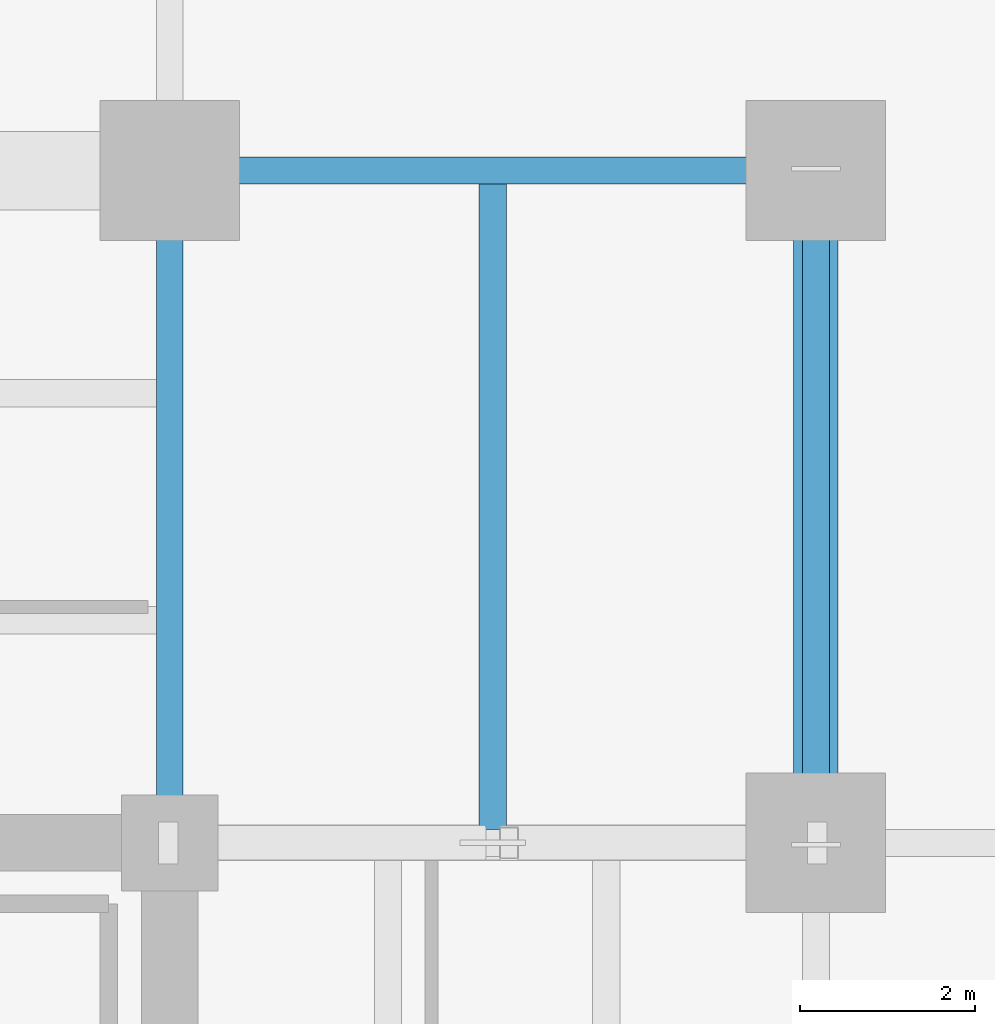
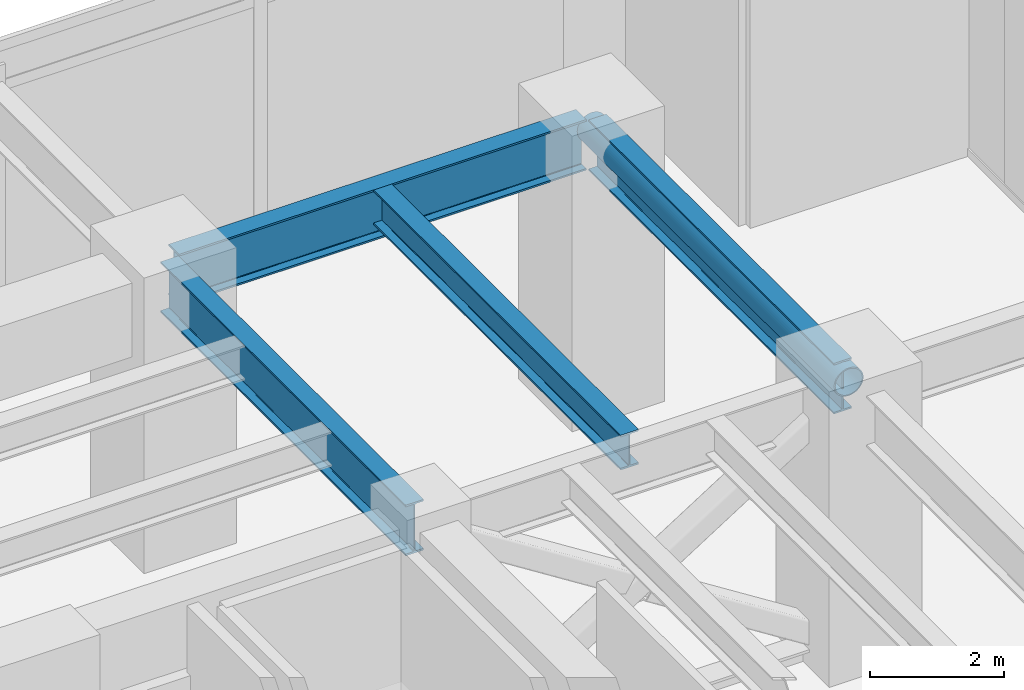
# One storey, part 18 of 26: 4 beams, 1 member.
"""IFC4 building model written with IfcOpenShell, lengths in metres."""

import ifcopenshell
import ifcopenshell.guid

model = None  # the IFC model being written
_history = None  # IfcOwnerHistory: only IFC2X3 demands one
_inside = {}  # id of a spatial element -> (the spatial element, [elements in it])
_under = {}  # id of a project, library or spatial element -> (it, [spatial elements below it])
_declared = {}  # id of a project -> (the project, [libraries it declares])
_typed = {}  # id of a type object -> (the type object, [elements of that type])
_made_of = {}  # id of a material, layer set ... -> (it, [elements and type objects made of it])


def new_model(schema):
    """Start an empty IFC model of exactly this schema.

    Asked for "IFC4X3", IfcOpenShell would pick the latest addendum, in which some entities
    have other attributes; the version numbers below select the first issue.
    IFC2X3 requires an IfcOwnerHistory on every rooted entity: one is made here for all.
    """
    global model, _history
    if schema == "IFC4X3":
        model = ifcopenshell.file(schema_version=(4, 3, 0, 0))
    else:
        model = ifcopenshell.file(schema=schema)
    _inside.clear()
    _under.clear()
    _declared.clear()
    _typed.clear()
    _made_of.clear()
    _history = None
    if model.schema == "IFC2X3":
        org = make("IfcOrganization", Name="unknown")
        user = make(
            "IfcPersonAndOrganization",
            ThePerson=make("IfcPerson", FamilyName="unknown"),
            TheOrganization=org,
        )
        app = make(
            "IfcApplication",
            ApplicationDeveloper=org,
            Version="unknown",
            ApplicationFullName="unknown",
            ApplicationIdentifier="unknown",
        )
        _history = make(
            "IfcOwnerHistory",
            OwningUser=user,
            OwningApplication=app,
            ChangeAction="ADDED",
            CreationDate=0,
        )
    return model


def make(cls, **values):
    """One entity of the class cls with the attributes given. An attribute that is None is left unset."""
    return model.create_entity(
        cls, **{name: value for name, value in values.items() if value is not None}
    )


def rooted(cls, **values):
    """An entity with a GlobalId (a new one), such as an element, a storey or a relation."""
    return make(cls, GlobalId=ifcopenshell.guid.new(), OwnerHistory=_history, **values)


def si_unit(unit_type, name, prefix=None):
    """IfcSIUnit, for example si_unit("LENGTHUNIT", "METRE", prefix="MILLI")."""
    return make("IfcSIUnit", UnitType=unit_type, Prefix=prefix, Name=name)


def assignment(units):
    """IfcUnitAssignment: the units of a project."""
    return None if units is None else make("IfcUnitAssignment", Units=units)


def point(xyz):
    """IfcCartesianPoint."""
    return None if xyz is None else make("IfcCartesianPoint", Coordinates=xyz)


def direction(xyz):
    """IfcDirection."""
    return None if xyz is None else make("IfcDirection", DirectionRatios=xyz)


def frame(location, z_axis=None, x_axis=None):
    """IfcAxis2Placement3D, a coordinate frame: its origin and axes. An axis left out is left unset."""
    return make(
        "IfcAxis2Placement3D",
        Location=point(location),
        Axis=direction(z_axis),
        RefDirection=direction(x_axis),
    )


def frame_2d(location, x_axis=None):
    """IfcAxis2Placement2D, a coordinate frame in the plane: its origin and x axis."""
    return make(
        "IfcAxis2Placement2D", Location=point(location), RefDirection=direction(x_axis)
    )


def origin():
    """The frame at (0, 0, 0) with its axes left unset."""
    return frame((0.0, 0.0, 0.0))


def origin_2d():
    """The frame at (0, 0) in the plane with its x axis left unset."""
    return frame_2d((0.0, 0.0))


def place(relative_to, where):
    """IfcLocalPlacement: puts the frame where relative to a parent placement (None: the world)."""
    return make(
        "IfcLocalPlacement", PlacementRelTo=relative_to, RelativePlacement=where
    )


def context(
    kind, dimensions, precision=None, world=None, true_north=None, identifier=None
):
    """IfcGeometricRepresentationContext, for example the 3D "Model" context."""
    return make(
        "IfcGeometricRepresentationContext",
        ContextIdentifier=identifier,
        ContextType=kind,
        CoordinateSpaceDimension=dimensions,
        Precision=precision,
        WorldCoordinateSystem=world,
        TrueNorth=true_north,
    )


def subcontext(parent, identifier, kind, view, scale=None):
    """IfcGeometricRepresentationSubContext, for example "Body" below "Model"."""
    return make(
        "IfcGeometricRepresentationSubContext",
        ContextIdentifier=identifier,
        ContextType=kind,
        ParentContext=parent,
        TargetScale=scale,
        TargetView=view,
    )


def project(units=None, contexts=None):
    """IfcProject with its units and contexts."""
    return rooted(
        "IfcProject",
        Name="project",
        RepresentationContexts=contexts,
        UnitsInContext=assignment(units),
    )


def spatial(cls, under=None, at=None, **own):
    """A site, building, storey or space (cls), placed at a placement, below another one or the project."""
    s = rooted(cls, ObjectPlacement=at, **own)
    if under is not None:
        _under.setdefault(under.id(), (under, []))[1].append(s)
    return s


def profile(cls, at=None, kind="AREA", **sizes):
    """A parametric profile (cls). Its sizes go by their IFC names, for example OverallWidth=200.0."""
    return make(cls, ProfileType=kind, Position=at, **sizes)


def hollow_circle(**sizes):
    """IfcCircleHollowProfileDef."""
    return profile("IfcCircleHollowProfileDef", **sizes)


def i_section(**sizes):
    """IfcIShapeProfileDef."""
    return profile("IfcIShapeProfileDef", **sizes)


def extrude(swept, where, along, depth):
    """IfcExtrudedAreaSolid: the profile swept, set in the frame where, extruded along a direction by depth."""
    return make(
        "IfcExtrudedAreaSolid",
        SweptArea=swept,
        Position=where,
        ExtrudedDirection=direction(along),
        Depth=depth,
    )


def shape(context_of_items, identifier, shape_type, items):
    """IfcShapeRepresentation: the items that make up one representation, for example the "Body"."""
    return make(
        "IfcShapeRepresentation",
        ContextOfItems=context_of_items,
        RepresentationIdentifier=identifier,
        RepresentationType=shape_type,
        Items=items,
    )


def material(Name=None, Category=None):
    """IfcMaterial."""
    return make("IfcMaterial", Name=Name, Category=Category)


def material_profile(
    of_material, cross_section, Name=None, Category=None, Priority=None
):
    """IfcMaterialProfile: a cross section and its material."""
    return make(
        "IfcMaterialProfile",
        Name=Name,
        Material=of_material,
        Profile=cross_section,
        Priority=Priority,
        Category=Category,
    )


def profile_set(profiles, Name=None, composite=None):
    """IfcMaterialProfileSet."""
    return make(
        "IfcMaterialProfileSet",
        Name=Name,
        MaterialProfiles=profiles,
        CompositeProfile=composite,
    )


def made_of(thing, what):
    """Note that an element or type object is made of a material, layer set ...; save() writes the relation."""
    if what is not None:
        _made_of.setdefault(what.id(), (what, []))[1].append(thing)
    return thing


def type_object(cls, material=None, **own):
    """A type object (cls), such as IfcWallType, which elements share."""
    return made_of(rooted(cls, **own), material)


def element(
    cls,
    number,
    at=None,
    inside=None,
    cuts=None,
    type_object=None,
    material=None,
    context=None,
    identifier="Body",
    shape_type=None,
    held_by="IfcProductDefinitionShape",
    body=None,
    shapes=None,
    **own,
):
    """One element of the class cls, such as IfcWall. Its Tag is "e" and its number.

    at: its placement. inside: the storey or other place that contains it. cuts: it is an
    opening in that element (IfcRelVoidsElement). A single representation is given by context,
    identifier, shape_type and body (its items); several are given by shapes. held_by: the class
    of the entity that holds the representations. save() writes the other relations.
    """
    e = rooted(cls, Tag="e%d" % number, ObjectPlacement=at, **own)
    if body is not None:
        shapes = [shape(context, identifier, shape_type, body)]
    if shapes is not None:
        e.Representation = make(held_by, Representations=shapes)
    if inside is not None:
        _inside.setdefault(inside.id(), (inside, []))[1].append(e)
    if cuts is not None:
        rooted(
            "IfcRelVoidsElement", RelatingBuildingElement=cuts, RelatedOpeningElement=e
        )
    if type_object is not None:
        _typed.setdefault(type_object.id(), (type_object, []))[1].append(e)
    return made_of(e, material)


def aggregate(whole, parts):
    """IfcRelAggregates: a whole, such as a stair, and the parts it consists of."""
    return rooted("IfcRelAggregates", RelatingObject=whole, RelatedObjects=parts)


def save(model, path):
    """Write the relations noted so far, then the file.

    IfcRelAggregates (storeys below a building ...), IfcRelContainedInSpatialStructure (elements
    in a storey), IfcRelDefinesByType, IfcRelAssociatesMaterial and IfcRelDeclares: one each for
    every whole, place, type object, material and project.
    """
    for whole, parts in _under.values():
        aggregate(whole, parts)
    for where, things in _inside.values():
        rooted(
            "IfcRelContainedInSpatialStructure",
            RelatedElements=things,
            RelatingStructure=where,
        )
    for kind, things in _typed.values():
        rooted("IfcRelDefinesByType", RelatedObjects=things, RelatingType=kind)
    for what, things in _made_of.values():
        rooted("IfcRelAssociatesMaterial", RelatedObjects=things, RelatingMaterial=what)
    for by, libraries in _declared.values():
        rooted("IfcRelDeclares", RelatingContext=by, RelatedDefinitions=libraries)
    model.write(path)


model = new_model("IFC4")

# Units and contexts
model_context = context("Model", 3, precision=1e-05, world=origin(), true_north=direction((0.0, 1.0)))
body_context = subcontext(model_context, "Body", "Model", "MODEL_VIEW")
ifc_project = project(units=[si_unit("LENGTHUNIT", "METRE"), si_unit("AREAUNIT", "SQUARE_METRE"), si_unit("VOLUMEUNIT", "CUBIC_METRE"), si_unit("PLANEANGLEUNIT", "RADIAN"), si_unit("MASSUNIT", "GRAM", prefix="KILO")], contexts=[model_context])

# Site, building, storey
site_placement = place(None, origin())
site = spatial("IfcSite", under=ifc_project, at=site_placement, CompositionType="ELEMENT")
building_placement = place(site_placement, origin())
building = spatial("IfcBuilding", under=site, at=building_placement, Name="Kovane Verandah Tower", CompositionType="ELEMENT")
storey_placement = place(building_placement, frame((0.0, 0.0, 113.0)))
storey = spatial("IfcBuildingStorey", under=building, at=storey_placement, Name="L26", CompositionType="ELEMENT", Elevation=113.0)

# Beams
ifc_material = material(Name="Steel S460", Category="steel")
ifc_material_profile_1 = material_profile(ifc_material, i_section(OverallWidth=0.311279296875, OverallDepth=0.6357421875, WebThickness=0.018310546875, FlangeThickness=0.031494140625, FilletRadius=0.0166015625, at=origin_2d()), Name="UB610x305x238")
ifc_profile_set_1 = profile_set([ifc_material_profile_1], Name="Steel S460")
beam_type_1 = type_object("IfcBeamType", Name="BM-UB610x238", PredefinedType="BEAM", material=ifc_profile_set_1)
beam_1_placement = place(storey_placement, frame((54.699951171875, 36.65185546875, 4.781982421875), z_axis=(0.0, 1.0, 0.0), x_axis=(-1.0, 0.0, 0.0)))
element("IfcBeam", 1, at=beam_1_placement, inside=storey, type_object=beam_type_1, Name="L26 Secondary Composite Joist J-NE1", PredefinedType="BEAM", context=body_context, shape_type="SweptSolid", body=[
    extrude(i_section(OverallWidth=0.311279296875, OverallDepth=0.6357421875, WebThickness=0.018310546875, FlangeThickness=0.031494140625, FilletRadius=0.0166015625, at=origin_2d()), origin(), (0.0, 0.0, 1.0), 7.396240234375),
])
ifc_material_profile_2 = material_profile(ifc_material, i_section(OverallWidth=0.3076171875, OverallDepth=0.926513671875, WebThickness=0.01953125, FlangeThickness=0.031982421875, FilletRadius=0.01904296875, at=origin_2d()), Name="UB914x305x289")
ifc_profile_set_2 = profile_set([ifc_material_profile_2], Name="Steel S460")
beam_type_2 = type_object("IfcBeamType", Name="BM-UB914x289", PredefinedType="BEAM", material=ifc_profile_set_2)
beam_2_placement = place(storey_placement, frame((51.179931640625, 44.199951171875, 4.63671875), z_axis=(1.0, 0.0, 0.0), x_axis=(0.0, 1.0, 0.0)))
element("IfcBeam", 2, at=beam_2_placement, inside=storey, type_object=beam_type_2, Name="L26 Primary Tower Girder G-RN3", PredefinedType="BEAM", context=body_context, shape_type="SweptSolid", body=[
    extrude(i_section(OverallWidth=0.3076171875, OverallDepth=0.926513671875, WebThickness=0.01953125, FlangeThickness=0.031982421875, FilletRadius=0.01904296875, at=origin_2d()), origin(), (0.0, 0.0, 1.0), 7.0400390625),
])
for number, where, z_axis, x_axis, name in (
    (3, (58.39990234375, 36.679931640625, 4.63671875), (0.0, 1.0, 0.0), (-1.0, 0.0, 0.0), "L26 Primary Tower Girder G-RE3"),
    (4, (51.0, 36.679931640625, 4.63671875), (0.0, 1.0, 0.0), (-1.0, 0.0, 0.0), "L26 Primary Tower Girder G-N2"),
):
    element("IfcBeam", number, at=place(storey_placement, frame(where, z_axis=z_axis, x_axis=x_axis)), inside=storey, type_object=beam_type_2, Name=name, PredefinedType="BEAM", context=body_context, shape_type="SweptSolid", body=[
        extrude(i_section(OverallWidth=0.3076171875, OverallDepth=0.926513671875, WebThickness=0.01953125, FlangeThickness=0.031982421875, FilletRadius=0.01904296875, at=origin_2d()), origin(), (0.0, 0.0, 1.0), 7.340087890625),
    ])

# Member
ifc_material_profile_3 = material_profile(ifc_material, hollow_circle(Radius=0.25390625, WallThickness=0.02001953125, at=origin_2d()), Name="CHS508x20")
ifc_profile_set_3 = profile_set([ifc_material_profile_3], Name="Steel S460")
member_type = type_object("IfcMemberType", Name="MEM-BR-CHS508", PredefinedType="BRACE", material=ifc_profile_set_3)
member_placement = place(storey_placement, frame((58.39990234375, 36.5, 4.820068359375), z_axis=(0.0, 1.0, 0.0), x_axis=(-1.0, 0.0, 0.0)))
element("IfcMember", 5, at=member_placement, inside=storey, type_object=member_type, Name="L26 Belt-Truss Ring Chord BE2", PredefinedType="BRACE", context=body_context, shape_type="SweptSolid", body=[
    extrude(hollow_circle(Radius=0.25390625, WallThickness=0.02001953125, at=origin_2d()), origin(), (0.0, 0.0, 1.0), 7.699951171875),
])

save(model, "model.ifc")
